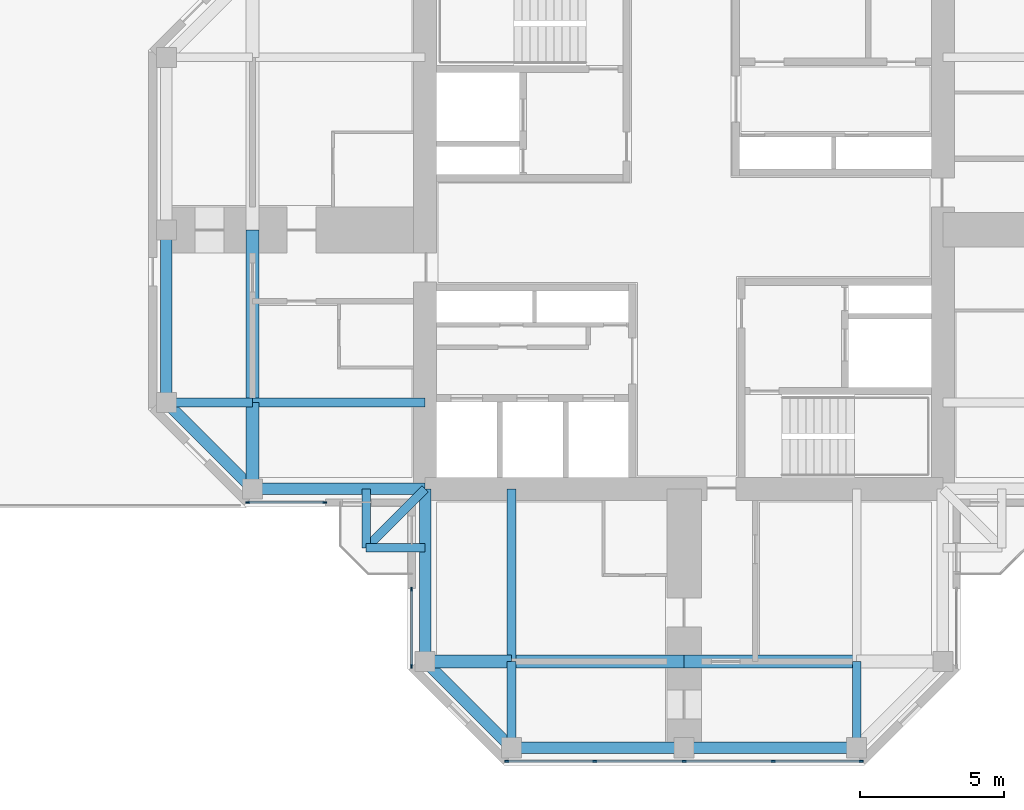
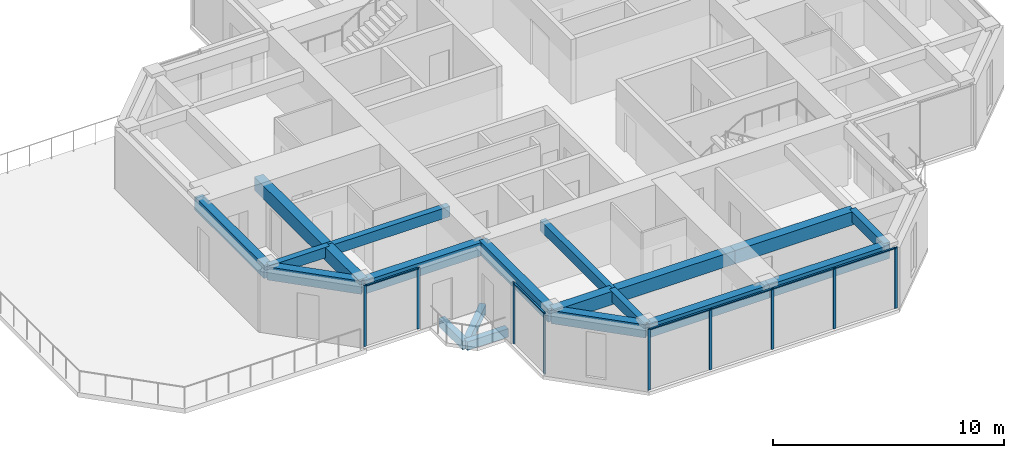
# One storey, part 2 of 14: 20 beams, 15 members, 3 elements without a shape of their own.
"""IFC4 building model written with IfcOpenShell, lengths in metres."""

from ifc_helpers import new_model, si_unit, direction, frame, origin, origin_2d, place, context, subcontext, project, spatial, rectangle, extrude, material, material_profile, profile_set, type_object, element, aggregate, save


model = new_model("IFC4")

# Units and contexts
model_context = context("Model", 3, precision=1e-05, world=origin(), true_north=direction((0.0, 1.0)))
body_context = subcontext(model_context, "Body", "Model", "MODEL_VIEW")
ifc_project = project(units=[si_unit("LENGTHUNIT", "METRE"), si_unit("AREAUNIT", "SQUARE_METRE"), si_unit("VOLUMEUNIT", "CUBIC_METRE"), si_unit("PLANEANGLEUNIT", "RADIAN"), si_unit("MASSUNIT", "GRAM", prefix="KILO")], contexts=[model_context])

# Site, building, storey
site_placement = place(None, origin())
site = spatial("IfcSite", under=ifc_project, at=site_placement, CompositionType="ELEMENT")
building_placement = place(site_placement, origin())
building = spatial("IfcBuilding", under=site, at=building_placement, Name="Torre Cruceta", CompositionType="ELEMENT")
storey_placement = place(building_placement, frame((0.0, 0.0, 257.699951171875)))
storey = spatial("IfcBuildingStorey", under=building, at=storey_placement, Name="L66", CompositionType="ELEMENT", Elevation=257.699951171875)

# Beams
ifc_material_1 = material(Name="Concrete G60 (fck 60 MPa)", Category="concrete")
ifc_material_profile_1 = material_profile(ifc_material_1, rectangle(XDim=0.300048828125, YDim=0.449951171875, at=origin_2d()), Name="RC 300X450")
ifc_profile_set_1 = profile_set([ifc_material_profile_1], Name="Concrete G60 (fck 60 MPa)")
beam_type_1 = type_object("IfcBeamType", Name="BALCONY CANTILEVER BEAM RC 300X450", PredefinedType="BEAM", material=ifc_profile_set_1)
beam_1_placement = place(storey_placement, frame((-9.0, -9.0, -0.405029296875), z_axis=(-0.707106781187, -0.707106781187, 0.0), x_axis=(0.707106781187, -0.707106781187, 0.0)))
element("IfcBeam", 1, at=beam_1_placement, inside=storey, type_object=beam_type_1, Name="BB1 balcony beam L66 W", PredefinedType="BEAM", context=body_context, shape_type="SweptSolid", body=[
    extrude(rectangle(XDim=0.300048828125, YDim=0.449951171875, at=origin_2d()), origin(), (0.0, 0.0, 1.0), 2.89990234375),
])
for number, where, z_axis, x_axis, name in (
    (2, (-11.050537109375, -9.0, -0.405029296875), (0.0, -1.0, 0.0), (1.0, 0.0, 0.0), "BB1 balcony edge beam L66 W-X"),
    (3, (-9.0, -11.050537109375, -0.405029296875), (-1.0, 0.0, 0.0), (0.0, -1.0, 0.0), "BB1 balcony edge beam L66 W-Y"),
):
    element("IfcBeam", number, at=place(storey_placement, frame(where, z_axis=z_axis, x_axis=x_axis)), inside=storey, type_object=beam_type_1, Name=name, PredefinedType="BEAM", context=body_context, shape_type="SweptSolid", body=[
        extrude(rectangle(XDim=0.300048828125, YDim=0.449951171875, at=origin_2d()), origin(), (0.0, 0.0, 1.0), 2.050537109375),
    ])
ifc_material_2 = material(Name="Concrete G60 (fck 60 MPa)", Category="concrete")
ifc_material_profile_2 = material_profile(ifc_material_2, rectangle(XDim=0.300048828125, YDim=0.550048828125, at=origin_2d()), Name="RC 300X550")
ifc_profile_set_2 = profile_set([ifc_material_profile_2], Name="Concrete G60 (fck 60 MPa)")
beam_type_2 = type_object("IfcBeamType", Name="COLUMN LINE BEAM RC 300X550", PredefinedType="BEAM", material=ifc_profile_set_2)
beam_2_placement = place(storey_placement, frame((-6.0, -9.0, 2.945068359375), z_axis=(0.0, -1.0, 0.0), x_axis=(1.0, 0.0, 0.0)))
element("IfcBeam", 4, at=beam_2_placement, inside=storey, type_object=beam_type_2, Name="LB10 L66 S col- 1", PredefinedType="BEAM", context=body_context, shape_type="SweptSolid", body=[
    extrude(rectangle(XDim=0.300048828125, YDim=0.550048828125, at=origin_2d()), origin(), (0.0, 0.0, 1.0), 6.0),
])
for number, where, z_axis, x_axis, name in (
    (5, (-6.0, -15.0, 2.945068359375), (0.0, -1.0, 0.0), (1.0, 0.0, 0.0), "LB10 L66 S col- 2"),
    (6, (6.0, -15.0, 2.945068359375), (0.0, -1.0, 0.0), (1.0, 0.0, 0.0), "LB10 L66 S col+ 2"),
):
    element("IfcBeam", number, at=place(storey_placement, frame(where, z_axis=z_axis, x_axis=x_axis)), inside=storey, type_object=beam_type_2, Name=name, PredefinedType="BEAM", context=body_context, shape_type="SweptSolid", body=[
        extrude(rectangle(XDim=0.300048828125, YDim=0.550048828125, at=origin_2d()), origin(), (0.0, 0.0, 1.0), 3.0),
    ])
beam_3_placement = place(storey_placement, frame((-9.0, -6.0, 2.945068359375), z_axis=(-1.0, 0.0, 0.0), x_axis=(0.0, -1.0, 0.0)))
element("IfcBeam", 7, at=beam_3_placement, inside=storey, type_object=beam_type_2, Name="LB10 L66 W col+ 1", PredefinedType="BEAM", context=body_context, shape_type="SweptSolid", body=[
    extrude(rectangle(XDim=0.300048828125, YDim=0.550048828125, at=origin_2d()), origin(), (0.0, 0.0, 1.0), 6.0),
])
beam_4_placement = place(storey_placement, frame((-15.0, -6.0, 2.945068359375), z_axis=(-1.0, 0.0, 0.0), x_axis=(0.0, -1.0, 0.0)))
element("IfcBeam", 8, at=beam_4_placement, inside=storey, type_object=beam_type_2, Name="LB10 L66 W col+ 2", PredefinedType="BEAM", context=body_context, shape_type="SweptSolid", body=[
    extrude(rectangle(XDim=0.300048828125, YDim=0.550048828125, at=origin_2d()), origin(), (0.0, 0.0, 1.0), 3.0),
])
ifc_material_3 = material(Name="Concrete G60 (fck 60 MPa)", Category="concrete")
ifc_material_profile_3 = material_profile(ifc_material_3, rectangle(XDim=0.449951171875, YDim=0.699951171875, at=origin_2d()), Name="RC 450X700")
ifc_profile_set_3 = profile_set([ifc_material_profile_3], Name="Concrete G60 (fck 60 MPa)")
beam_type_3 = type_object("IfcBeamType", Name="CROSS BEAM RC 450X700", PredefinedType="BEAM", material=ifc_profile_set_3)
beam_5_placement = place(storey_placement, frame((-9.0, -15.0, 2.8701171875), z_axis=(1.0, 0.0, 0.0), x_axis=(0.0, 1.0, 0.0)))
element("IfcBeam", 9, at=beam_5_placement, inside=storey, type_object=beam_type_3, Name="GB8 L66 S cross15 1", PredefinedType="BEAM", context=body_context, shape_type="SweptSolid", body=[
    extrude(rectangle(XDim=0.449951171875, YDim=0.699951171875, at=origin_2d()), origin(), (0.0, 0.0, 1.0), 3.0),
])
for number, where, z_axis, x_axis, name in (
    (10, (-6.0, -15.0, 2.8701171875), (1.0, 0.0, 0.0), (0.0, 1.0, 0.0), "GB8 L66 S cross15 2"),
    (11, (0.0, -15.0, 2.8701171875), (1.0, 0.0, 0.0), (0.0, 1.0, 0.0), "GB8 L66 S cross15 3"),
    (12, (-15.0, 0.0, 2.8701171875), (0.0, -1.0, 0.0), (1.0, 0.0, 0.0), "GB8 L66 W cross15 3"),
):
    element("IfcBeam", number, at=place(storey_placement, frame(where, z_axis=z_axis, x_axis=x_axis)), inside=storey, type_object=beam_type_3, Name=name, PredefinedType="BEAM", context=body_context, shape_type="SweptSolid", body=[
        extrude(rectangle(XDim=0.449951171875, YDim=0.699951171875, at=origin_2d()), origin(), (0.0, 0.0, 1.0), 6.0),
    ])
beam_6_placement = place(storey_placement, frame((-15.0, -6.0, 2.8701171875), z_axis=(0.0, -1.0, 0.0), x_axis=(1.0, 0.0, 0.0)))
element("IfcBeam", 13, at=beam_6_placement, inside=storey, type_object=beam_type_3, Name="GB8 L66 W cross15 4", PredefinedType="BEAM", context=body_context, shape_type="SweptSolid", body=[
    extrude(rectangle(XDim=0.449951171875, YDim=0.699951171875, at=origin_2d()), origin(), (0.0, 0.0, 1.0), 3.0),
])

# Curtain wall, members
ifc_material_4 = material(Name="Aluminium unitised curtain wall", Category="aluminium")
curtain_wall_type = type_object("IfcCurtainWallType", Name="CURTAIN WALL CW-E CO-LIVING TOP", PredefinedType="USERDEFINED", material=ifc_material_4)
curtain_wall_1_placement = place(storey_placement, origin())
curtain_wall_1 = element("IfcCurtainWall", 14, at=curtain_wall_1_placement, inside=storey, type_object=curtain_wall_type, Name="CW-E L66 W side 14", ObjectType="UNITISED", PredefinedType="USERDEFINED")
ifc_material_5 = material(Name="Aluminium mullion", Category="aluminium")
ifc_material_profile_4 = material_profile(ifc_material_5, rectangle(XDim=0.054931640625, YDim=0.139892578125, at=origin_2d()), Name="AL 55X140")
ifc_profile_set_4 = profile_set([ifc_material_profile_4], Name="Aluminium mullion")
member_type_1 = type_object("IfcMemberType", Name="CW-E MULLION 55X140", PredefinedType="MULLION", material=ifc_profile_set_4)
member_1_placement = place(storey_placement, frame((-15.167236328125, -9.469970703125, 0.0), z_axis=(0.0, 0.0, 1.0), x_axis=(0.0, 1.0, 0.0)))
member_1 = element("IfcMember", 15, at=member_1_placement, type_object=member_type_1, Name="CW-E mullion 1", PredefinedType="MULLION", context=body_context, shape_type="SweptSolid", body=[
    extrude(rectangle(XDim=0.054931640625, YDim=0.139892578125, at=origin_2d()), origin(), (0.0, 0.0, 1.0), 3.219970703125),
])
member_2_placement = place(storey_placement, frame((-12.49755859375, -9.469970703125, 0.0), z_axis=(0.0, 0.0, 1.0), x_axis=(0.0, 1.0, 0.0)))
member_2 = element("IfcMember", 16, at=member_2_placement, type_object=member_type_1, Name="CW-E mullion 2", PredefinedType="MULLION", context=body_context, shape_type="SweptSolid", body=[
    extrude(rectangle(XDim=0.054931640625, YDim=0.139892578125, at=origin_2d()), origin(), (0.0, 0.0, 1.0), 3.219970703125),
])

curtain_wall_2_placement = place(storey_placement, origin())
curtain_wall_2 = element("IfcCurtainWall", 17, at=curtain_wall_2_placement, inside=storey, type_object=curtain_wall_type, Name="CW-E L66 S side 15", ObjectType="UNITISED", PredefinedType="USERDEFINED")
member_3_placement = place(storey_placement, frame((-9.469970703125, -12.49755859375, 0.0), z_axis=(0.0, 0.0, 1.0), x_axis=(1.0, 0.0, 0.0)))
member_3 = element("IfcMember", 18, at=member_3_placement, type_object=member_type_1, Name="CW-E mullion 1", PredefinedType="MULLION", context=body_context, shape_type="SweptSolid", body=[
    extrude(rectangle(XDim=0.054931640625, YDim=0.139892578125, at=origin_2d()), origin(), (0.0, 0.0, 1.0), 3.219970703125),
])
member_4_placement = place(storey_placement, frame((-9.469970703125, -15.167236328125, 0.0), z_axis=(0.0, 0.0, 1.0), x_axis=(1.0, 0.0, 0.0)))
member_4 = element("IfcMember", 19, at=member_4_placement, type_object=member_type_1, Name="CW-E mullion 2", PredefinedType="MULLION", context=body_context, shape_type="SweptSolid", body=[
    extrude(rectangle(XDim=0.054931640625, YDim=0.139892578125, at=origin_2d()), origin(), (0.0, 0.0, 1.0), 3.219970703125),
])

curtain_wall_3_placement = place(storey_placement, origin())
curtain_wall_3 = element("IfcCurtainWall", 20, at=curtain_wall_3_placement, inside=storey, type_object=curtain_wall_type, Name="CW-E L66 S tip 17", ObjectType="UNITISED", PredefinedType="USERDEFINED")
member_5_placement = place(storey_placement, frame((-6.167236328125, -18.469970703125, 0.0), z_axis=(0.0, 0.0, 1.0), x_axis=(0.0, 1.0, 0.0)))
member_5 = element("IfcMember", 21, at=member_5_placement, type_object=member_type_1, Name="CW-E mullion 1", PredefinedType="MULLION", context=body_context, shape_type="SweptSolid", body=[
    extrude(rectangle(XDim=0.054931640625, YDim=0.139892578125, at=origin_2d()), origin(), (0.0, 0.0, 1.0), 3.219970703125),
])
member_6_placement = place(storey_placement, frame((-3.097412109375, -18.469970703125, 0.0), z_axis=(0.0, 0.0, 1.0), x_axis=(0.0, 1.0, 0.0)))
member_6 = element("IfcMember", 22, at=member_6_placement, type_object=member_type_1, Name="CW-E mullion 2", PredefinedType="MULLION", context=body_context, shape_type="SweptSolid", body=[
    extrude(rectangle(XDim=0.054931640625, YDim=0.139892578125, at=origin_2d()), origin(), (0.0, 0.0, 1.0), 3.219970703125),
])
member_7_placement = place(storey_placement, frame((0.0, -18.469970703125, 0.0), z_axis=(0.0, 0.0, 1.0), x_axis=(0.0, 1.0, 0.0)))
member_7 = element("IfcMember", 23, at=member_7_placement, type_object=member_type_1, Name="CW-E mullion 3", PredefinedType="MULLION", context=body_context, shape_type="SweptSolid", body=[
    extrude(rectangle(XDim=0.054931640625, YDim=0.139892578125, at=origin_2d()), origin(), (0.0, 0.0, 1.0), 3.219970703125),
])
member_8_placement = place(storey_placement, frame((3.097412109375, -18.469970703125, 0.0), z_axis=(0.0, 0.0, 1.0), x_axis=(0.0, 1.0, 0.0)))
member_8 = element("IfcMember", 24, at=member_8_placement, type_object=member_type_1, Name="CW-E mullion 4", PredefinedType="MULLION", context=body_context, shape_type="SweptSolid", body=[
    extrude(rectangle(XDim=0.054931640625, YDim=0.139892578125, at=origin_2d()), origin(), (0.0, 0.0, 1.0), 3.219970703125),
])
member_9_placement = place(storey_placement, frame((6.167236328125, -18.469970703125, 0.0), z_axis=(0.0, 0.0, 1.0), x_axis=(0.0, 1.0, 0.0)))
member_9 = element("IfcMember", 25, at=member_9_placement, type_object=member_type_1, Name="CW-E mullion 5", PredefinedType="MULLION", context=body_context, shape_type="SweptSolid", body=[
    extrude(rectangle(XDim=0.054931640625, YDim=0.139892578125, at=origin_2d()), origin(), (0.0, 0.0, 1.0), 3.219970703125),
])

# Member
ifc_material_6 = material(Name="Aluminium transom", Category="aluminium")
ifc_material_profile_5 = material_profile(ifc_material_6, rectangle(XDim=0.090087890625, YDim=0.054931640625, at=origin_2d()), Name="AL 90X55")
ifc_profile_set_5 = profile_set([ifc_material_profile_5], Name="Aluminium transom")
member_type_2 = type_object("IfcMemberType", Name="CW-E TRANSOM 55X90", PredefinedType="USERDEFINED", material=ifc_profile_set_5)
member_10_placement = place(storey_placement, frame((-15.1396484375, -9.469970703125, 3.192626953125), z_axis=(1.0, 0.0, 0.0), x_axis=(0.0, 1.0, 0.0)))
member_10 = element("IfcMember", 26, at=member_10_placement, type_object=member_type_2, Name="CW-E transom 1", ObjectType="TRANSOM", PredefinedType="USERDEFINED", context=body_context, shape_type="SweptSolid", body=[
    extrude(rectangle(XDim=0.090087890625, YDim=0.054931640625, at=origin_2d()), origin(), (0.0, 0.0, 1.0), 2.61474609375),
])

aggregate(curtain_wall_1, [member_1, member_2, member_10])

member_11_placement = place(storey_placement, frame((-9.469970703125, -12.52490234375, 3.192626953125), z_axis=(0.0, -1.0, 0.0), x_axis=(1.0, 0.0, 0.0)))
member_11 = element("IfcMember", 27, at=member_11_placement, type_object=member_type_2, Name="CW-E transom 1", ObjectType="TRANSOM", PredefinedType="USERDEFINED", context=body_context, shape_type="SweptSolid", body=[
    extrude(rectangle(XDim=0.090087890625, YDim=0.054931640625, at=origin_2d()), origin(), (0.0, 0.0, 1.0), 2.61474609375),
])

aggregate(curtain_wall_2, [member_3, member_4, member_11])

member_12_placement = place(storey_placement, frame((-6.1396484375, -18.469970703125, 3.192626953125), z_axis=(1.0, 0.0, 0.0), x_axis=(0.0, 1.0, 0.0)))
member_12 = element("IfcMember", 28, at=member_12_placement, type_object=member_type_2, Name="CW-E transom 1", ObjectType="TRANSOM", PredefinedType="USERDEFINED", context=body_context, shape_type="SweptSolid", body=[
    extrude(rectangle(XDim=0.090087890625, YDim=0.054931640625, at=origin_2d()), origin(), (0.0, 0.0, 1.0), 3.014892578125),
])

member_13_placement = place(storey_placement, frame((-3.06982421875, -18.469970703125, 3.192626953125), z_axis=(1.0, 0.0, 0.0), x_axis=(0.0, 1.0, 0.0)))
member_13 = element("IfcMember", 29, at=member_13_placement, type_object=member_type_2, Name="CW-E transom 2", ObjectType="TRANSOM", PredefinedType="USERDEFINED", context=body_context, shape_type="SweptSolid", body=[
    extrude(rectangle(XDim=0.090087890625, YDim=0.054931640625, at=origin_2d()), origin(), (0.0, 0.0, 1.0), 3.042236328125),
])

member_14_placement = place(storey_placement, frame((0.027587890625, -18.469970703125, 3.192626953125), z_axis=(1.0, 0.0, 0.0), x_axis=(0.0, 1.0, 0.0)))
member_14 = element("IfcMember", 30, at=member_14_placement, type_object=member_type_2, Name="CW-E transom 3", ObjectType="TRANSOM", PredefinedType="USERDEFINED", context=body_context, shape_type="SweptSolid", body=[
    extrude(rectangle(XDim=0.090087890625, YDim=0.054931640625, at=origin_2d()), origin(), (0.0, 0.0, 1.0), 3.042236328125),
])

member_15_placement = place(storey_placement, frame((3.124755859375, -18.469970703125, 3.192626953125), z_axis=(1.0, 0.0, 0.0), x_axis=(0.0, 1.0, 0.0)))
member_15 = element("IfcMember", 31, at=member_15_placement, type_object=member_type_2, Name="CW-E transom 4", ObjectType="TRANSOM", PredefinedType="USERDEFINED", context=body_context, shape_type="SweptSolid", body=[
    extrude(rectangle(XDim=0.090087890625, YDim=0.054931640625, at=origin_2d()), origin(), (0.0, 0.0, 1.0), 3.014892578125),
])

aggregate(curtain_wall_3, [member_5, member_6, member_7, member_8, member_9, member_12, member_13, member_14, member_15])

# Beams
ifc_material_7 = material(Name="Concrete G60 (fck 60 MPa)", Category="concrete")
ifc_material_profile_6 = material_profile(ifc_material_7, rectangle(XDim=0.39990234375, YDim=0.699951171875, at=origin_2d()), Name="RC 400X700")
ifc_profile_set_6 = profile_set([ifc_material_profile_6], Name="Concrete G60 (fck 60 MPa)")
beam_type_4 = type_object("IfcBeamType", Name="SPANDREL BEAM RC 400X700", PredefinedType="SPANDREL", material=ifc_profile_set_6)
beam_7_placement = place(storey_placement, frame((-9.0, -9.0, 2.8701171875), z_axis=(0.0, -1.0, 0.0), x_axis=(1.0, 0.0, 0.0)))
element("IfcBeam", 32, at=beam_7_placement, inside=storey, type_object=beam_type_4, Name="SB8 L66 S side- 1", PredefinedType="SPANDREL", context=body_context, shape_type="SweptSolid", body=[
    extrude(rectangle(XDim=0.39990234375, YDim=0.699951171875, at=origin_2d()), origin(), (0.0, 0.0, 1.0), 6.0),
])
beam_8_placement = place(storey_placement, frame((-9.0, -15.0, 2.8701171875), z_axis=(0.707106781187, -0.707106781187, 0.0), x_axis=(0.707106781187, 0.707106781187, 0.0)))
element("IfcBeam", 33, at=beam_8_placement, inside=storey, type_object=beam_type_4, Name="SB8 L66 S side- 2", PredefinedType="SPANDREL", context=body_context, shape_type="SweptSolid", body=[
    extrude(rectangle(XDim=0.39990234375, YDim=0.699951171875, at=origin_2d()), origin(), (0.0, 0.0, 1.0), 4.24267578125),
])
for number, where, z_axis, x_axis, name in (
    (34, (-6.0, -18.0, 2.8701171875), (1.0, 0.0, 0.0), (0.0, 1.0, 0.0), "SB8 L66 S tip 1"),
    (35, (0.0, -18.0, 2.8701171875), (1.0, 0.0, 0.0), (0.0, 1.0, 0.0), "SB8 L66 S tip 2"),
    (36, (-9.0, -9.0, 2.8701171875), (-1.0, 0.0, 0.0), (0.0, -1.0, 0.0), "SB8 L66 W side+ 1"),
):
    element("IfcBeam", number, at=place(storey_placement, frame(where, z_axis=z_axis, x_axis=x_axis)), inside=storey, type_object=beam_type_4, Name=name, PredefinedType="SPANDREL", context=body_context, shape_type="SweptSolid", body=[
        extrude(rectangle(XDim=0.39990234375, YDim=0.699951171875, at=origin_2d()), origin(), (0.0, 0.0, 1.0), 6.0),
    ])
beam_9_placement = place(storey_placement, frame((-15.0, -9.0, 2.8701171875), z_axis=(-0.707106781187, 0.707106781187, 0.0), x_axis=(-0.707106781187, -0.707106781187, 0.0)))
element("IfcBeam", 37, at=beam_9_placement, inside=storey, type_object=beam_type_4, Name="SB8 L66 W side+ 2", PredefinedType="SPANDREL", context=body_context, shape_type="SweptSolid", body=[
    extrude(rectangle(XDim=0.39990234375, YDim=0.699951171875, at=origin_2d()), origin(), (0.0, 0.0, 1.0), 4.24267578125),
])
beam_10_placement = place(storey_placement, frame((-18.0, 0.0, 2.8701171875), z_axis=(0.0, -1.0, 0.0), x_axis=(1.0, 0.0, 0.0)))
element("IfcBeam", 38, at=beam_10_placement, inside=storey, type_object=beam_type_4, Name="SB8 L66 W tip 2", PredefinedType="SPANDREL", context=body_context, shape_type="SweptSolid", body=[
    extrude(rectangle(XDim=0.39990234375, YDim=0.699951171875, at=origin_2d()), origin(), (0.0, 0.0, 1.0), 6.0),
])

save(model, "model.ifc")
